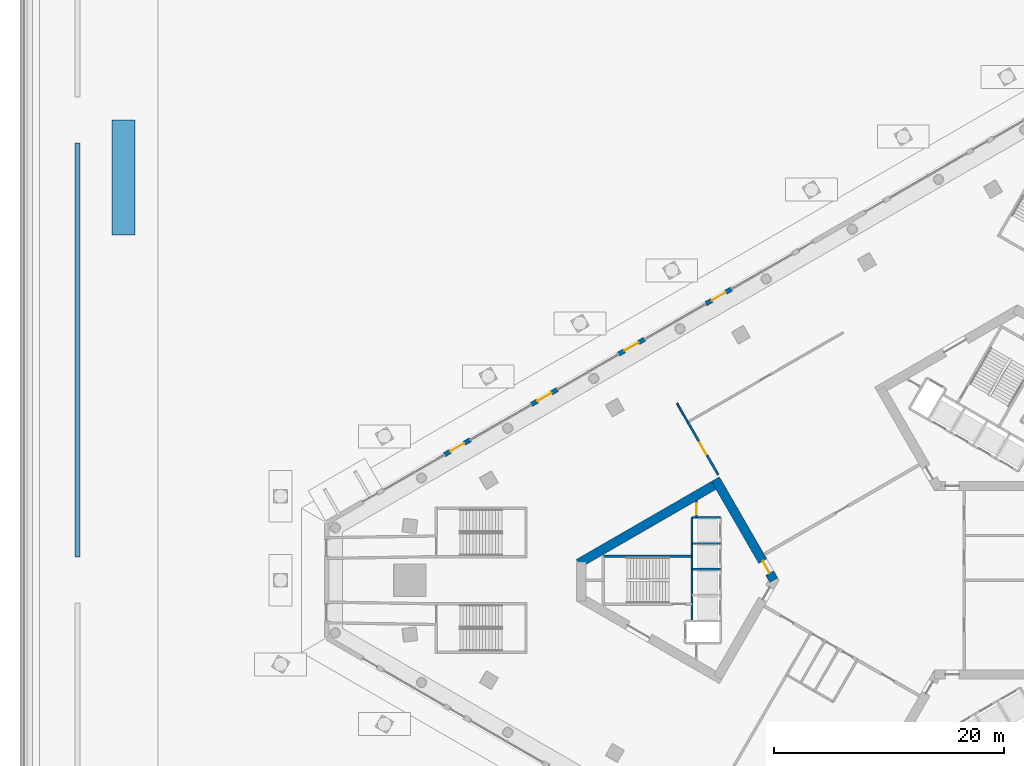
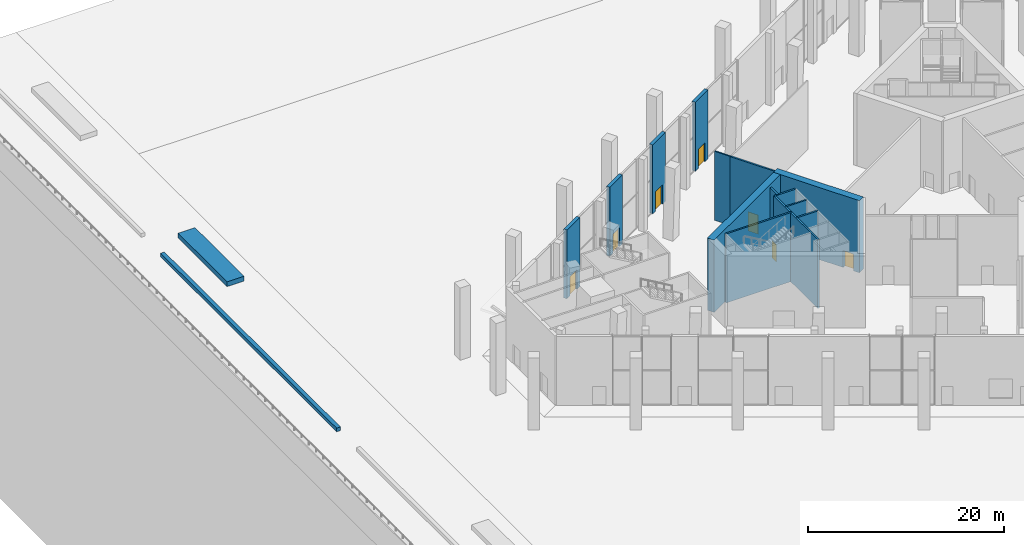
# One storey, part 27 of 63: 16 walls, 7 doors, 7 openings.
"""IFC4 building model written with IfcOpenShell, lengths in metres."""

from ifc_helpers import new_model, si_unit, direction, frame, frame_2d, origin, place, context, subcontext, project, spatial, rectangle, extrude, material, layer, layer_set, type_object, element, fill, save


model = new_model("IFC4")

# Units and contexts
model_context = context("Model", 3, precision=1e-05, world=origin(), true_north=direction((0.0, 1.0)))
body_context = subcontext(model_context, "Body", "Model", "MODEL_VIEW")
ifc_project = project(units=[si_unit("LENGTHUNIT", "METRE"), si_unit("AREAUNIT", "SQUARE_METRE"), si_unit("VOLUMEUNIT", "CUBIC_METRE"), si_unit("PLANEANGLEUNIT", "RADIAN"), si_unit("MASSUNIT", "GRAM", prefix="KILO")], contexts=[model_context])

# Site, building, storey
site_placement = place(None, origin())
site = spatial("IfcSite", under=ifc_project, at=site_placement, CompositionType="ELEMENT")
building_placement = place(site_placement, origin())
building = spatial("IfcBuilding", under=site, at=building_placement, Name="Jabali Bay Hotel Tower and Convention Centre", CompositionType="ELEMENT")
storey_placement = place(building_placement, origin())
storey = spatial("IfcBuildingStorey", under=building, at=storey_placement, Name="L00", CompositionType="ELEMENT", Elevation=0.0)

# Wall, opening, door
ifc_material_1 = material(Name="Concrete C40", Category="concrete")
ifc_layer_1 = layer(ifc_material_1, 0.199951171875)
ifc_layer_set_1 = layer_set([ifc_layer_1], Name="Concrete C40")
wall_type_1 = type_object("IfcWallType", Name="Core partition wall 200", PredefinedType="PARTITIONING", material=ifc_layer_set_1)
wall_1_placement = place(storey_placement, frame((58.820068359375, 86.916748046875, 0.0), z_axis=(0.0, 0.0, 1.0), x_axis=(0.0, -1.0, 0.0)))
wall_1 = element("IfcWall", 1, at=wall_1_placement, inside=storey, type_object=wall_type_1, Name="Core wall 0.10 L00", PredefinedType="PARTITIONING", context=body_context, shape_type="SweptSolid", body=[
    extrude(rectangle(XDim=1.466796875, YDim=0.199951171875, at=frame_2d((0.7333984375, 0.0))), origin(), (0.0, 0.0, 1.0), 8.60009765625),
])
opening_1_placement = place(wall_1_placement, frame((0.283447265625, 0.0, 0.0)))
opening_1 = element("IfcOpeningElement", 2, at=opening_1_placement, cuts=wall_1, Name="Opening D109", PredefinedType="OPENING", context=body_context, shape_type="SweptSolid", body=[
    extrude(rectangle(XDim=0.89990234375, YDim=2.10009765625, at=frame_2d((0.449951171875, 1.050048828125))), frame((0.0, 0.1103515625, 0.0), z_axis=(0.0, -1.0, 0.0), x_axis=(1.0, 0.0, 0.0)), (0.0, 0.0, 1.0), 0.220947265625),
])
ifc_material_2 = material(Name="Fire-rated steel door", Category="steel")
door_type_1 = type_object("IfcDoorType", Name="Vestibule fire door 900 x 2100", OperationType="NOTDEFINED", PredefinedType="NOTDEFINED", material=ifc_material_2)
door_1_placement = place(opening_1_placement, origin())
door_1 = element("IfcDoor", 3, at=door_1_placement, inside=storey, type_object=door_type_1, Name="Vestibule fire door D109", OperationType="SINGLE_SWING_LEFT", OverallHeight=2.10009765625, OverallWidth=0.89990234375, PredefinedType="NOTDEFINED", context=body_context, shape_type="SweptSolid", body=[
    extrude(rectangle(XDim=0.89990234375, YDim=2.10009765625, at=frame_2d((0.449951171875, 1.050048828125))), frame((0.0, 0.02490234375, 0.0), z_axis=(0.0, -1.0, 0.0), x_axis=(1.0, 0.0, 0.0)), (0.0, 0.0, 1.0), 0.050048828125),
])
fill(opening_1, door_1)

# Walls
ifc_layer_2 = layer(ifc_material_1, 0.199951171875)
ifc_layer_set_2 = layer_set([ifc_layer_2], Name="Concrete C40")
wall_type_2 = type_object("IfcWallType", Name="Core stair wall 200", PredefinedType="SOLIDWALL", material=ifc_layer_set_2)
for number, where, z_axis, x_axis, name in (
    (4, (60.89990234375, 85.449951171875, 0.0), (0.0, 0.0, 1.0), (-1.0, 0.0, 0.0), "Core wall 0.0 L00"),
    (5, (60.89990234375, 83.199951171875, 0.0), (0.0, 0.0, 1.0), (-1.0, 0.0, 0.0), "Core wall 0.1 L00"),
):
    element("IfcWall", number, at=place(storey_placement, frame(where, z_axis=z_axis, x_axis=x_axis)), inside=storey, type_object=wall_type_2, Name=name, PredefinedType="SOLIDWALL", context=body_context, shape_type="SweptSolid", body=[
        extrude(rectangle(XDim=2.47998046875, YDim=0.199951171875, at=frame_2d((1.239990234375, 0.0))), origin(), (0.0, 0.0, 1.0), 8.60009765625),
    ])
wall_2_placement = place(storey_placement, frame((58.419921875, 82.074951171875, 0.0), z_axis=(0.0, 0.0, 1.0), x_axis=(-1.0, 0.0, 0.0)))
element("IfcWall", 6, at=wall_2_placement, inside=storey, type_object=wall_type_2, Name="Core wall 0.2 L00", PredefinedType="SOLIDWALL", context=body_context, shape_type="SweptSolid", body=[
    extrude(rectangle(XDim=7.699951171875, YDim=0.199951171875, at=frame_2d((3.85009765625, 0.0))), origin(), (0.0, 0.0, 1.0), 8.60009765625),
])
wall_3_placement = place(storey_placement, frame((60.89990234375, 80.949951171875, 0.0), z_axis=(0.0, 0.0, 1.0), x_axis=(-1.0, 0.0, 0.0)))
element("IfcWall", 7, at=wall_3_placement, inside=storey, type_object=wall_type_2, Name="Core wall 0.3 L00", PredefinedType="SOLIDWALL", context=body_context, shape_type="SweptSolid", body=[
    extrude(rectangle(XDim=2.47998046875, YDim=0.199951171875, at=frame_2d((1.239990234375, 0.0))), origin(), (0.0, 0.0, 1.0), 8.60009765625),
])
wall_4_placement = place(storey_placement, frame((58.419921875, 85.449951171875, 0.0), z_axis=(0.0, 0.0, 1.0), x_axis=(0.0, -1.0, 0.0)))
element("IfcWall", 8, at=wall_4_placement, inside=storey, type_object=wall_type_2, Name="Core wall 0.12 L00", PredefinedType="SOLIDWALL", context=body_context, shape_type="SweptSolid", body=[
    extrude(rectangle(XDim=9.0, YDim=0.199951171875, at=frame_2d((4.5, 0.0))), origin(), (0.0, 0.0, 1.0), 8.60009765625),
])

# Wall, opening, door
ifc_material_3 = material(Name="Concrete C60", Category="concrete")
ifc_layer_3 = layer(ifc_material_3, 0.800048828125)
ifc_layer_set_3 = layer_set([ifc_layer_3], Name="Concrete C60")
wall_type_3 = type_object("IfcWallType", Name="Core wall 800", PredefinedType="SHEAR", material=ifc_layer_set_3)
wall_5_placement = place(storey_placement, frame((65.5380859375, 80.0, 0.0), z_axis=(0.0, 0.0, 1.0), x_axis=(-0.49999662545, 0.866027352073, 0.0)))
wall_5 = element("IfcWall", 9, at=wall_5_placement, inside=storey, type_object=wall_type_3, Name="Core wall 1.1 L00", PredefinedType="SHEAR", context=body_context, shape_type="SweptSolid", body=[
    extrude(rectangle(XDim=10.14892578125, YDim=0.800048828125, at=frame_2d((5.074462890625, 0.0))), origin(), (0.0, 0.0, 1.0), 9.0),
])
opening_2_placement = place(wall_5_placement, frame((0.718994140625, 0.0, 0.0)))
opening_2 = element("IfcOpeningElement", 10, at=opening_2_placement, cuts=wall_5, Name="Opening D106", PredefinedType="OPENING", context=body_context, shape_type="SweptSolid", body=[
    extrude(rectangle(XDim=1.199951171875, YDim=2.10009765625, at=frame_2d((0.60009765625, 1.050048828125))), frame((0.0, 0.41064453125, 0.0), z_axis=(0.0, -1.0, 0.0), x_axis=(1.0, 0.0, 0.0)), (0.0, 0.0, 1.0), 0.821044921875),
])
door_type_2 = type_object("IfcDoorType", Name="Corridor end fire door 1200 x 2100", OperationType="NOTDEFINED", PredefinedType="NOTDEFINED", material=ifc_material_2)
door_2_placement = place(opening_2_placement, origin())
door_2 = element("IfcDoor", 11, at=door_2_placement, inside=storey, type_object=door_type_2, Name="Corridor end fire door D106", OperationType="SINGLE_SWING_RIGHT", OverallHeight=2.10009765625, OverallWidth=1.199951171875, PredefinedType="NOTDEFINED", context=body_context, shape_type="SweptSolid", body=[
    extrude(rectangle(XDim=1.199951171875, YDim=2.10009765625, at=frame_2d((0.60009765625, 1.050048828125))), frame((0.0, 0.02490234375, 0.0), z_axis=(0.0, -1.0, 0.0), x_axis=(1.0, 0.0, 0.0)), (0.0, 0.0, 1.0), 0.050048828125),
])
fill(opening_2, door_2)

# Walls
wall_6_placement = place(storey_placement, frame((60.66357421875, 88.44287109375, 0.0), z_axis=(0.0, 0.0, 1.0), x_axis=(-0.866029478545, -0.499992942241, 0.0)))
element("IfcWall", 12, at=wall_6_placement, inside=storey, type_object=wall_type_3, Name="Core wall 1.2 L00", PredefinedType="SHEAR", context=body_context, shape_type="SweptSolid", body=[
    extrude(rectangle(XDim=13.933349609375, YDim=0.800048828125, at=frame_2d((6.966796875, 0.0))), origin(), (0.0, 0.0, 1.0), 9.0),
])
ifc_material_4 = material(Name="Plasterboard on steel stud", Category="steel")
ifc_layer_4 = layer(ifc_material_4, 0.14990234375)
ifc_layer_set_4 = layer_set([ifc_layer_4], Name="Plasterboard on steel stud")
wall_type_4 = type_object("IfcWallType", Name="Partition 150 wet", PredefinedType="PARTITIONING", material=ifc_layer_set_4)
wall_7_placement = place(storey_placement, frame((57.1220703125, 95.376953125, 0.0), z_axis=(0.0, 0.0, 1.0), x_axis=(0.500006788699, -0.866021484292, 0.0)))
element("IfcWall", 13, at=wall_7_placement, inside=storey, type_object=wall_type_4, Name="Partition P03 L00 008", PredefinedType="PARTITIONING", context=body_context, shape_type="SweptSolid", body=[
    extrude(rectangle(XDim=1.90771484375, YDim=0.14990234375, at=frame_2d((0.953857421875, 0.0))), origin(), (0.0, 0.0, 1.0), 8.60009765625),
])

# Wall, opening, door
ifc_layer_5 = layer(ifc_material_4, 0.199951171875)
ifc_layer_set_5 = layer_set([ifc_layer_5], Name="Plasterboard on steel stud")
wall_type_5 = type_object("IfcWallType", Name="Partition 200 party", PredefinedType="PARTITIONING", material=ifc_layer_set_5)
wall_8_placement = place(storey_placement, frame((58.055908203125, 93.759521484375, 0.0), z_axis=(0.0, 0.0, 1.0), x_axis=(0.499991804824, -0.86603013522, 0.0)))
wall_8 = element("IfcWall", 14, at=wall_8_placement, inside=storey, type_object=wall_type_5, Name="Partition P01 L00 007", PredefinedType="PARTITIONING", context=body_context, shape_type="SweptSolid", body=[
    extrude(rectangle(XDim=5.30908203125, YDim=0.199951171875, at=frame_2d((2.654541015625, 0.0))), origin(), (0.0, 0.0, 1.0), 8.60009765625),
])
opening_3_placement = place(wall_8_placement, frame((2.053955078125, 0.0, 0.0)))
opening_3 = element("IfcOpeningElement", 15, at=opening_3_placement, cuts=wall_8, Name="Opening 0012", PredefinedType="OPENING", context=body_context, shape_type="SweptSolid", body=[
    extrude(rectangle(XDim=1.199951171875, YDim=2.39990234375, at=frame_2d((0.60009765625, 1.199951171875))), frame((0.0, 0.1103515625, 0.0), z_axis=(0.0, -1.0, 0.0), x_axis=(1.0, 0.0, 0.0)), (0.0, 0.0, 1.0), 0.220947265625),
])
ifc_material_5 = material(Name="Timber", Category="wood")
door_type_3 = type_object("IfcDoorType", Name="Public room door 1200 x 2400", OperationType="NOTDEFINED", PredefinedType="NOTDEFINED", material=ifc_material_5)
door_3_placement = place(opening_3_placement, origin())
door_3 = element("IfcDoor", 16, at=door_3_placement, inside=storey, type_object=door_type_3, Name="Door 0012", OperationType="SINGLE_SWING_LEFT", OverallHeight=2.39990234375, OverallWidth=1.199951171875, PredefinedType="NOTDEFINED", context=body_context, shape_type="SweptSolid", body=[
    extrude(rectangle(XDim=1.199951171875, YDim=2.39990234375, at=frame_2d((0.60009765625, 1.199951171875))), frame((0.0, 0.02490234375, 0.0), z_axis=(0.0, -1.0, 0.0), x_axis=(1.0, 0.0, 0.0)), (0.0, 0.0, 1.0), 0.050048828125),
])
fill(opening_3, door_3)

ifc_layer_6 = layer(ifc_material_1, 0.39990234375)
ifc_layer_set_6 = layer_set([ifc_layer_6], Name="Concrete C40")
wall_type_6 = type_object("IfcWallType", Name="Podium external wall 400", PredefinedType="SOLIDWALL", material=ifc_layer_set_6)
wall_9_placement = place(storey_placement, frame((59.624267578125, 104.03173828125, 0.0), z_axis=(0.0, 0.0, 1.0), x_axis=(0.865997922154, 0.500047596559, 0.0)))
wall_9 = element("IfcWall", 17, at=wall_9_placement, inside=storey, type_object=wall_type_6, Name="External wall north-west face L00", PredefinedType="SOLIDWALL", context=body_context, shape_type="SweptSolid", body=[
    extrude(rectangle(XDim=2.599853515625, YDim=0.39990234375, at=frame_2d((1.2998046875, 0.0))), origin(), (0.0, 0.0, 1.0), 8.60009765625),
])
opening_4_placement = place(wall_9_placement, frame((0.60009765625, 0.0, 0.0)))
opening_4 = element("IfcOpeningElement", 18, at=opening_4_placement, cuts=wall_9, Name="Opening ED2", PredefinedType="OPENING", context=body_context, shape_type="SweptSolid", body=[
    extrude(rectangle(XDim=1.39990234375, YDim=2.39990234375, at=frame_2d((0.699951171875, 1.199951171875))), frame((0.0, 0.21044921875, 0.0), z_axis=(0.0, -1.0, 0.0), x_axis=(1.0, 0.0, 0.0)), (0.0, 0.0, 1.0), 0.4208984375),
])
ifc_material_6 = material(Name="Glass", Category="glass")
door_type_4 = type_object("IfcDoorType", Name="Entrance door 1400 x 2400", OperationType="NOTDEFINED", PredefinedType="NOTDEFINED", material=ifc_material_6)
door_4_placement = place(opening_4_placement, origin())
door_4 = element("IfcDoor", 19, at=door_4_placement, inside=storey, type_object=door_type_4, Name="Entrance door", OperationType="SINGLE_SWING_RIGHT", OverallHeight=2.39990234375, OverallWidth=1.39990234375, PredefinedType="NOTDEFINED", context=body_context, shape_type="SweptSolid", body=[
    extrude(rectangle(XDim=1.39990234375, YDim=2.39990234375, at=frame_2d((0.699951171875, 1.199951171875))), frame((0.0, 0.02490234375, 0.0), z_axis=(0.0, -1.0, 0.0), x_axis=(1.0, 0.0, 0.0)), (0.0, 0.0, 1.0), 0.050048828125),
])
fill(opening_4, door_4)

wall_10_placement = place(storey_placement, frame((52.048583984375, 99.657958984375, 0.0), z_axis=(0.0, 0.0, 1.0), x_axis=(0.866021400173, 0.500006934395, 0.0)))
wall_10 = element("IfcWall", 20, at=wall_10_placement, inside=storey, type_object=wall_type_6, Name="External wall north-west face L00", PredefinedType="SOLIDWALL", context=body_context, shape_type="SweptSolid", body=[
    extrude(rectangle(XDim=2.60009765625, YDim=0.39990234375, at=frame_2d((1.300048828125, 0.0))), origin(), (0.0, 0.0, 1.0), 8.60009765625),
])
opening_5_placement = place(wall_10_placement, frame((0.60009765625, 0.0, 0.0)))
opening_5 = element("IfcOpeningElement", 21, at=opening_5_placement, cuts=wall_10, Name="Opening ED2", PredefinedType="OPENING", context=body_context, shape_type="SweptSolid", body=[
    extrude(rectangle(XDim=1.39990234375, YDim=2.39990234375, at=frame_2d((0.699951171875, 1.199951171875))), frame((0.0, 0.21044921875, 0.0), z_axis=(0.0, -1.0, 0.0), x_axis=(1.0, 0.0, 0.0)), (0.0, 0.0, 1.0), 0.4208984375),
])
door_5_placement = place(opening_5_placement, origin())
door_5 = element("IfcDoor", 22, at=door_5_placement, inside=storey, type_object=door_type_4, Name="Entrance door", OperationType="SINGLE_SWING_LEFT", OverallHeight=2.39990234375, OverallWidth=1.39990234375, PredefinedType="NOTDEFINED", context=body_context, shape_type="SweptSolid", body=[
    extrude(rectangle(XDim=1.39990234375, YDim=2.39990234375, at=frame_2d((0.699951171875, 1.199951171875))), frame((0.0, 0.02490234375, 0.0), z_axis=(0.0, -1.0, 0.0), x_axis=(1.0, 0.0, 0.0)), (0.0, 0.0, 1.0), 0.050048828125),
])
fill(opening_5, door_5)

wall_11_placement = place(storey_placement, frame((44.47314453125, 95.2841796875, 0.0), z_axis=(0.0, 0.0, 1.0), x_axis=(0.866021400173, 0.500006934395, 0.0)))
wall_11 = element("IfcWall", 23, at=wall_11_placement, inside=storey, type_object=wall_type_6, Name="External wall north-west face L00", PredefinedType="SOLIDWALL", context=body_context, shape_type="SweptSolid", body=[
    extrude(rectangle(XDim=2.60009765625, YDim=0.39990234375, at=frame_2d((1.300048828125, 0.0))), origin(), (0.0, 0.0, 1.0), 8.60009765625),
])
opening_6_placement = place(wall_11_placement, frame((0.60009765625, 0.0, 0.0)))
opening_6 = element("IfcOpeningElement", 24, at=opening_6_placement, cuts=wall_11, Name="Opening ED2", PredefinedType="OPENING", context=body_context, shape_type="SweptSolid", body=[
    extrude(rectangle(XDim=1.39990234375, YDim=2.39990234375, at=frame_2d((0.699951171875, 1.199951171875))), frame((0.0, 0.21044921875, 0.0), z_axis=(0.0, -1.0, 0.0), x_axis=(1.0, 0.0, 0.0)), (0.0, 0.0, 1.0), 0.4208984375),
])
door_6_placement = place(opening_6_placement, origin())
door_6 = element("IfcDoor", 25, at=door_6_placement, inside=storey, type_object=door_type_4, Name="Entrance door", OperationType="SINGLE_SWING_RIGHT", OverallHeight=2.39990234375, OverallWidth=1.39990234375, PredefinedType="NOTDEFINED", context=body_context, shape_type="SweptSolid", body=[
    extrude(rectangle(XDim=1.39990234375, YDim=2.39990234375, at=frame_2d((0.699951171875, 1.199951171875))), frame((0.0, 0.02490234375, 0.0), z_axis=(0.0, -1.0, 0.0), x_axis=(1.0, 0.0, 0.0)), (0.0, 0.0, 1.0), 0.050048828125),
])
fill(opening_6, door_6)

wall_12_placement = place(storey_placement, frame((36.897705078125, 90.91064453125, 0.0), z_axis=(0.0, 0.0, 1.0), x_axis=(0.866021400173, 0.500006934395, 0.0)))
wall_12 = element("IfcWall", 26, at=wall_12_placement, inside=storey, type_object=wall_type_6, Name="External wall north-west face L00", PredefinedType="SOLIDWALL", context=body_context, shape_type="SweptSolid", body=[
    extrude(rectangle(XDim=2.60009765625, YDim=0.39990234375, at=frame_2d((1.300048828125, 0.0))), origin(), (0.0, 0.0, 1.0), 8.60009765625),
])
opening_7_placement = place(wall_12_placement, frame((0.60009765625, 0.0, 0.0)))
opening_7 = element("IfcOpeningElement", 27, at=opening_7_placement, cuts=wall_12, Name="Opening ED2", PredefinedType="OPENING", context=body_context, shape_type="SweptSolid", body=[
    extrude(rectangle(XDim=1.39990234375, YDim=2.39990234375, at=frame_2d((0.699951171875, 1.199951171875))), frame((0.0, 0.21044921875, 0.0), z_axis=(0.0, -1.0, 0.0), x_axis=(1.0, 0.0, 0.0)), (0.0, 0.0, 1.0), 0.4208984375),
])
door_7_placement = place(opening_7_placement, origin())
door_7 = element("IfcDoor", 28, at=door_7_placement, inside=storey, type_object=door_type_4, Name="Entrance door", OperationType="SINGLE_SWING_LEFT", OverallHeight=2.39990234375, OverallWidth=1.39990234375, PredefinedType="NOTDEFINED", context=body_context, shape_type="SweptSolid", body=[
    extrude(rectangle(XDim=1.39990234375, YDim=2.39990234375, at=frame_2d((0.699951171875, 1.199951171875))), frame((0.0, 0.02490234375, 0.0), z_axis=(0.0, -1.0, 0.0), x_axis=(1.0, 0.0, 0.0)), (0.0, 0.0, 1.0), 0.050048828125),
])
fill(opening_7, door_7)

# Walls
ifc_material_7 = material(Name="Concrete C30", Category="concrete")
ifc_layer_7 = layer(ifc_material_7, 2.0)
ifc_layer_set_7 = layer_set([ifc_layer_7], Name="Concrete C30")
wall_type_7 = type_object("IfcWallType", Name="SI Planter Wall 2000", PredefinedType="SOLIDWALL", material=ifc_layer_set_7)
wall_13_placement = place(storey_placement, frame((9.0, 110.0, 0.0), z_axis=(0.0, 0.0, 1.0), x_axis=(0.0, 1.0, 0.0)))
element("IfcWall", 29, at=wall_13_placement, inside=storey, type_object=wall_type_7, Name="Promenade planter 3", PredefinedType="SOLIDWALL", context=body_context, shape_type="SweptSolid", body=[
    extrude(rectangle(XDim=10.0, YDim=2.0, at=frame_2d((5.0, 0.0))), origin(), (0.0, 0.0, 1.0), 0.60009765625),
])
ifc_layer_8 = layer(ifc_material_7, 0.449951171875)
ifc_layer_set_8 = layer_set([ifc_layer_8], Name="Concrete C30")
wall_type_8 = type_object("IfcWallType", Name="SI Promenade Seat Wall 450", PredefinedType="SOLIDWALL", material=ifc_layer_set_8)
wall_14_placement = place(storey_placement, frame((5.0, 82.0, 0.0), z_axis=(0.0, 0.0, 1.0), x_axis=(0.0, 1.0, 0.0)))
element("IfcWall", 30, at=wall_14_placement, inside=storey, type_object=wall_type_8, Name="Promenade seat wall 3", PredefinedType="SOLIDWALL", context=body_context, shape_type="SweptSolid", body=[
    extrude(rectangle(XDim=36.0, YDim=0.449951171875, at=frame_2d((18.0, 0.0))), origin(), (0.0, 0.0, 1.0), 0.449951171875),
])

save(model, "model.ifc")
